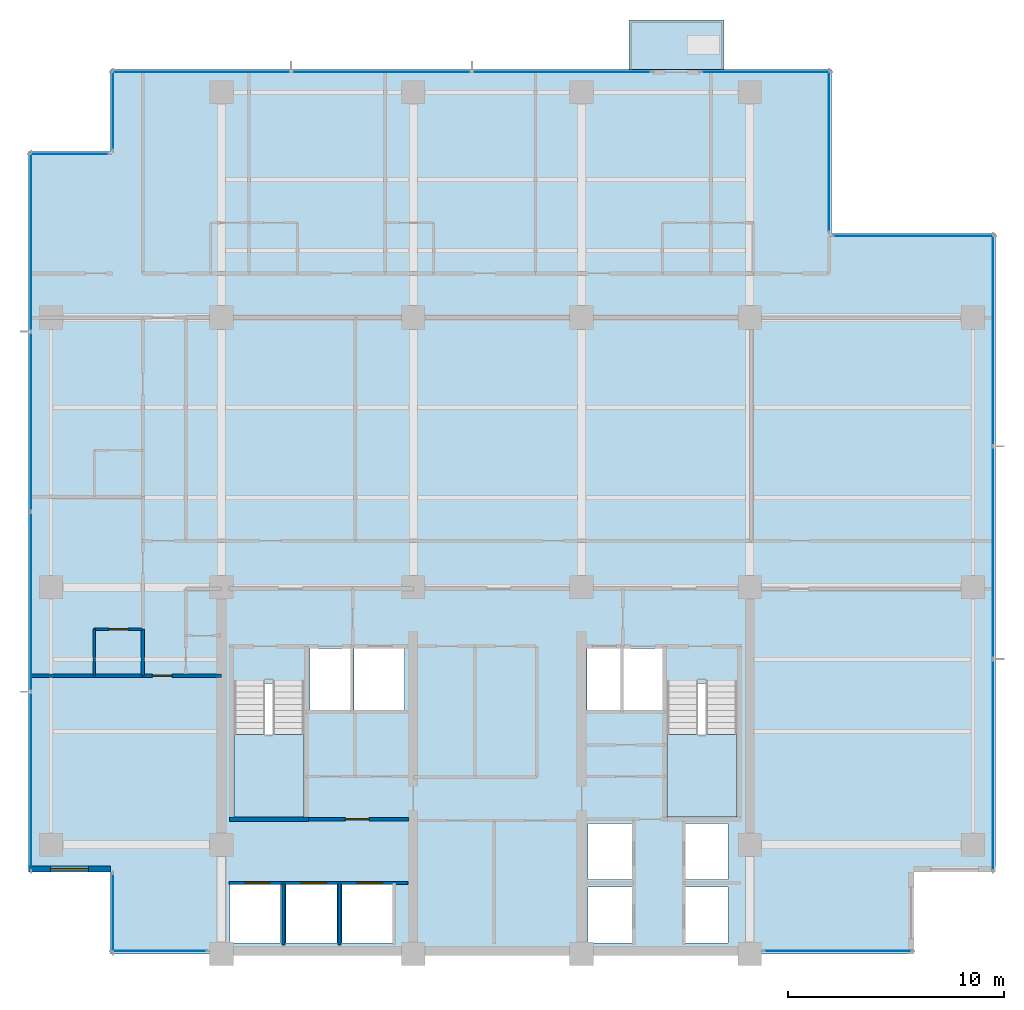
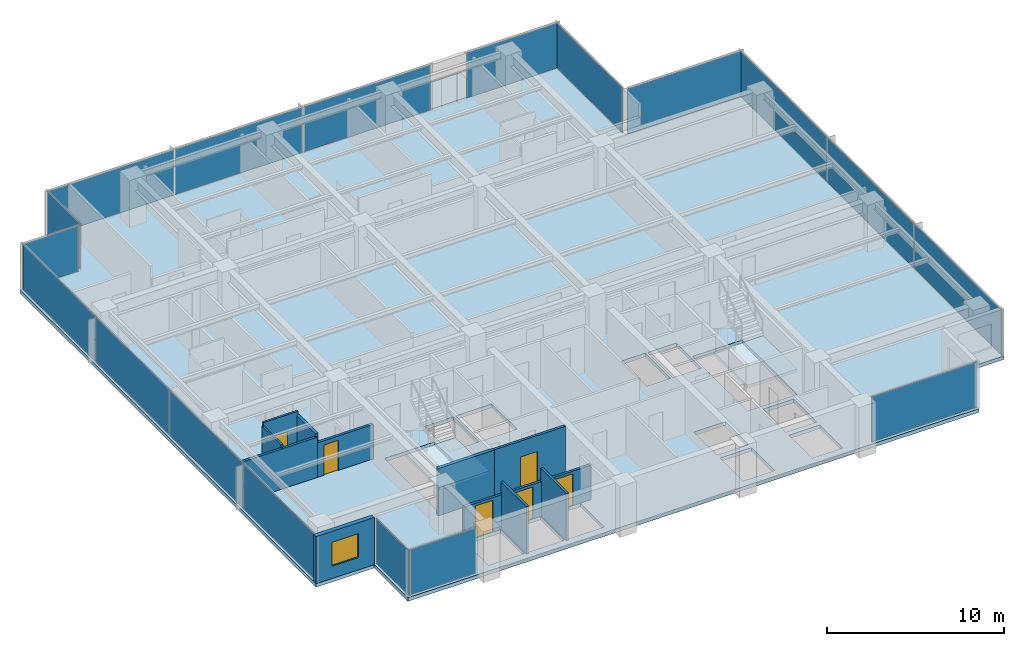
# One storey, part 6 of 15: 18 plates, 11 walls, 6 doors, 4 slabs, 1 window, 7 openings, 13 elements without a shape of their own.
"""IFC4 building model written with IfcOpenShell, lengths in metres."""

from ifc_helpers import new_model, si_unit, direction, frame, frame_2d, origin, origin_2d, place, context, subcontext, project, spatial, polyline, rectangle, outline, extrude, material, layer, layer_set, type_object, element, fill, aggregate, save


model = new_model("IFC4")

# Units and contexts
model_context = context("Model", 3, precision=1e-05, world=origin(), true_north=direction((0.0, 1.0)))
body_context = subcontext(model_context, "Body", "Model", "MODEL_VIEW")
ifc_project = project(units=[si_unit("LENGTHUNIT", "METRE"), si_unit("AREAUNIT", "SQUARE_METRE"), si_unit("VOLUMEUNIT", "CUBIC_METRE"), si_unit("PLANEANGLEUNIT", "RADIAN"), si_unit("MASSUNIT", "GRAM", prefix="KILO")], contexts=[model_context])

# Site, building, storey
site_placement = place(None, origin())
site = spatial("IfcSite", under=ifc_project, at=site_placement, CompositionType="ELEMENT")
building_placement = place(site_placement, origin())
building = spatial("IfcBuilding", under=site, at=building_placement, Name="Qalmaran Belvedere Hotel", CompositionType="ELEMENT")
storey_placement = place(building_placement, frame((0.0, 0.0, 173.60009765625)))
storey = spatial("IfcBuildingStorey", under=building, at=storey_placement, Name="L44", CompositionType="ELEMENT", Elevation=173.60009765625)

# Curtain wall, plate
ifc_material_1 = material(Name="Anodised Bronze Aluminium", Category="aluminium")
ifc_layer_1 = layer(ifc_material_1, 0.195068359375, Name="Anodised Bronze Aluminium")
ifc_layer_set_1 = layer_set([ifc_layer_1], Name="Anodised Bronze Aluminium")
curtain_wall_type = type_object("IfcCurtainWallType", Name="CW4-TOWER-HIGHMID", PredefinedType="NOTDEFINED", material=ifc_layer_set_1)
curtain_wall_1_placement = place(storey_placement, origin())
curtain_wall_1 = element("IfcCurtainWall", 1, at=curtain_wall_1_placement, inside=storey, type_object=curtain_wall_type, Name="L44 Curtain Wall CW4", PredefinedType="NOTDEFINED")
ifc_material_2 = material(Name="Solar-Control Double Glazing", Category="glass")
ifc_layer_2 = layer(ifc_material_2, 0.028076171875, Name="Solar-Control Double Glazing")
ifc_layer_set_2 = layer_set([ifc_layer_2], Name="Solar-Control Double Glazing")
plate_type = type_object("IfcPlateType", Name="CWP-VISION-28", PredefinedType="CURTAIN_PANEL", material=ifc_layer_set_2)
plate_1_placement = place(storey_placement, frame((17.429931640625, 3.6201171875, 0.06494140625), z_axis=(0.0, 0.0, 1.0), x_axis=(1.0, 0.0, 0.0)))
plate_1 = element("IfcPlate", 2, at=plate_1_placement, type_object=plate_type, Name="CW4 panel 1.1", PredefinedType="CURTAIN_PANEL", context=body_context, shape_type="SweptSolid", body=[
    extrude(rectangle(XDim=4.419921875, YDim=0.028076171875, at=origin_2d()), origin(), (0.0, 0.0, 1.0), 3.1201171875),
])
aggregate(curtain_wall_1, [plate_1])

curtain_wall_2_placement = place(storey_placement, origin())
curtain_wall_2 = element("IfcCurtainWall", 3, at=curtain_wall_2_placement, inside=storey, type_object=curtain_wall_type, Name="L44 Curtain Wall CW4", PredefinedType="NOTDEFINED")
plate_2_placement = place(storey_placement, frame((48.89501953125, 3.6201171875, 0.06494140625), z_axis=(0.0, 0.0, 1.0), x_axis=(1.0, 0.0, 0.0)))
plate_2 = element("IfcPlate", 4, at=plate_2_placement, type_object=plate_type, Name="CW4 panel 1.1", PredefinedType="CURTAIN_PANEL", context=body_context, shape_type="SweptSolid", body=[
    extrude(rectangle(XDim=6.8701171875, YDim=0.028076171875, at=origin_2d()), origin(), (0.0, 0.0, 1.0), 3.1201171875),
])
aggregate(curtain_wall_2, [plate_2])

# Curtain wall, plates
curtain_wall_3_placement = place(storey_placement, origin())
curtain_wall_3 = element("IfcCurtainWall", 5, at=curtain_wall_3_placement, inside=storey, type_object=curtain_wall_type, Name="L44 Curtain Wall CW4", PredefinedType="NOTDEFINED")
plate_3_placement = place(storey_placement, frame((56.080078125, 12.250732421875, 0.06494140625), z_axis=(0.0, 0.0, 1.0), x_axis=(0.0, 1.0, 0.0)))
plate_3 = element("IfcPlate", 6, at=plate_3_placement, type_object=plate_type, Name="CW4 panel 1.1", PredefinedType="CURTAIN_PANEL", context=body_context, shape_type="SweptSolid", body=[
    extrude(rectangle(XDim=9.76171875, YDim=0.028076171875, at=origin_2d()), origin(), (0.0, 0.0, 1.0), 3.1201171875),
])
plate_4_placement = place(storey_placement, frame((56.080078125, 22.10009765625, 0.06494140625), z_axis=(0.0, 0.0, 1.0), x_axis=(0.0, 1.0, 0.0)))
plate_4 = element("IfcPlate", 7, at=plate_4_placement, type_object=plate_type, Name="CW4 panel 2.1", PredefinedType="CURTAIN_PANEL", context=body_context, shape_type="SweptSolid", body=[
    extrude(rectangle(XDim=9.796630859375, YDim=0.028076171875, at=origin_2d()), origin(), (0.0, 0.0, 1.0), 3.1201171875),
])
plate_5_placement = place(storey_placement, frame((56.080078125, 31.94921875, 0.06494140625), z_axis=(0.0, 0.0, 1.0), x_axis=(0.0, 1.0, 0.0)))
plate_5 = element("IfcPlate", 8, at=plate_5_placement, type_object=plate_type, Name="CW4 panel 3.1", PredefinedType="CURTAIN_PANEL", context=body_context, shape_type="SweptSolid", body=[
    extrude(rectangle(XDim=9.76171875, YDim=0.028076171875, at=origin_2d()), origin(), (0.0, 0.0, 1.0), 3.1201171875),
])
aggregate(curtain_wall_3, [plate_3, plate_4, plate_5])

# Curtain wall, plate
curtain_wall_4_placement = place(storey_placement, origin())
curtain_wall_4 = element("IfcCurtainWall", 9, at=curtain_wall_4_placement, inside=storey, type_object=curtain_wall_type, Name="L44 Curtain Wall CW4", PredefinedType="NOTDEFINED")
plate_6_placement = place(storey_placement, frame((52.39990234375, 36.780029296875, 0.06494140625), z_axis=(0.0, 0.0, 1.0), x_axis=(-1.0, 0.0, 0.0)))
plate_6 = element("IfcPlate", 10, at=plate_6_placement, type_object=plate_type, Name="CW4 panel 1.1", PredefinedType="CURTAIN_PANEL", context=body_context, shape_type="SweptSolid", body=[
    extrude(rectangle(XDim=7.4599609375, YDim=0.028076171875, at=origin_2d()), origin(), (0.0, 0.0, 1.0), 3.1201171875),
])
aggregate(curtain_wall_4, [plate_6])

curtain_wall_5_placement = place(storey_placement, origin())
curtain_wall_5 = element("IfcCurtainWall", 11, at=curtain_wall_5_placement, inside=storey, type_object=curtain_wall_type, Name="L44 Curtain Wall CW4", PredefinedType="NOTDEFINED")
plate_7_placement = place(storey_placement, frame((48.47998046875, 40.699951171875, 0.06494140625), z_axis=(0.0, 0.0, 1.0), x_axis=(0.0, 1.0, 0.0)))
plate_7 = element("IfcPlate", 12, at=plate_7_placement, type_object=plate_type, Name="CW4 panel 1.1", PredefinedType="CURTAIN_PANEL", context=body_context, shape_type="SweptSolid", body=[
    extrude(rectangle(XDim=7.4599609375, YDim=0.028076171875, at=origin_2d()), origin(), (0.0, 0.0, 1.0), 3.1201171875),
])
aggregate(curtain_wall_5, [plate_7])

# Curtain wall, plates
curtain_wall_6_placement = place(storey_placement, origin())
curtain_wall_6 = element("IfcCurtainWall", 13, at=curtain_wall_6_placement, inside=storey, type_object=curtain_wall_type, Name="L44 Curtain Wall CW4", PredefinedType="NOTDEFINED")
plate_8_placement = place(storey_placement, frame((36.0908203125, 44.3798828125, 0.06494140625), z_axis=(0.0, 0.0, 1.0), x_axis=(-1.0, 0.0, 0.0)))
plate_8 = element("IfcPlate", 14, at=plate_8_placement, type_object=plate_type, Name="CW4 panel 1.1", PredefinedType="CURTAIN_PANEL", context=body_context, shape_type="SweptSolid", body=[
    extrude(rectangle(XDim=8.2783203125, YDim=0.028076171875, at=origin_2d()), origin(), (0.0, 0.0, 1.0), 3.1201171875),
])
plate_9_placement = place(storey_placement, frame((27.72509765625, 44.3798828125, 0.06494140625), z_axis=(0.0, 0.0, 1.0), x_axis=(-1.0, 0.0, 0.0)))
plate_9 = element("IfcPlate", 15, at=plate_9_placement, type_object=plate_type, Name="CW4 panel 2.1", PredefinedType="CURTAIN_PANEL", context=body_context, shape_type="SweptSolid", body=[
    extrude(rectangle(XDim=8.313232421875, YDim=0.028076171875, at=origin_2d()), origin(), (0.0, 0.0, 1.0), 3.1201171875),
])
plate_10_placement = place(storey_placement, frame((19.359130859375, 44.3798828125, 0.06494140625), z_axis=(0.0, 0.0, 1.0), x_axis=(-1.0, 0.0, 0.0)))
plate_10 = element("IfcPlate", 16, at=plate_10_placement, type_object=plate_type, Name="CW4 panel 3.1", PredefinedType="CURTAIN_PANEL", context=body_context, shape_type="SweptSolid", body=[
    extrude(rectangle(XDim=8.2783203125, YDim=0.028076171875, at=origin_2d()), origin(), (0.0, 0.0, 1.0), 3.1201171875),
])
aggregate(curtain_wall_6, [plate_8, plate_9, plate_10])

# Curtain wall, plate
curtain_wall_7_placement = place(storey_placement, origin())
curtain_wall_7 = element("IfcCurtainWall", 17, at=curtain_wall_7_placement, inside=storey, type_object=curtain_wall_type, Name="L44 Curtain Wall CW4", PredefinedType="NOTDEFINED")
plate_11_placement = place(storey_placement, frame((45.550048828125, 44.3798828125, 0.06494140625), z_axis=(0.0, 0.0, 1.0), x_axis=(-1.0, 0.0, 0.0)))
plate_11 = element("IfcPlate", 18, at=plate_11_placement, type_object=plate_type, Name="CW4 panel 1.1", PredefinedType="CURTAIN_PANEL", context=body_context, shape_type="SweptSolid", body=[
    extrude(rectangle(XDim=5.9599609375, YDim=0.028076171875, at=origin_2d()), origin(), (0.0, 0.0, 1.0), 3.1201171875),
])
aggregate(curtain_wall_7, [plate_11])

curtain_wall_8_placement = place(storey_placement, origin())
curtain_wall_8 = element("IfcCurtainWall", 19, at=curtain_wall_8_placement, inside=storey, type_object=curtain_wall_type, Name="L44 Curtain Wall CW4", PredefinedType="NOTDEFINED")
plate_12_placement = place(storey_placement, frame((15.27001953125, 42.60009765625, 0.06494140625), z_axis=(0.0, 0.0, 1.0), x_axis=(0.0, -1.0, 0.0)))
plate_12 = element("IfcPlate", 20, at=plate_12_placement, type_object=plate_type, Name="CW4 panel 1.1", PredefinedType="CURTAIN_PANEL", context=body_context, shape_type="SweptSolid", body=[
    extrude(rectangle(XDim=3.659912109375, YDim=0.028076171875, at=origin_2d()), origin(), (0.0, 0.0, 1.0), 3.1201171875),
])
aggregate(curtain_wall_8, [plate_12])

curtain_wall_9_placement = place(storey_placement, origin())
curtain_wall_9 = element("IfcCurtainWall", 21, at=curtain_wall_9_placement, inside=storey, type_object=curtain_wall_type, Name="L44 Curtain Wall CW4", PredefinedType="NOTDEFINED")
plate_13_placement = place(storey_placement, frame((13.25, 40.580078125, 0.06494140625), z_axis=(0.0, 0.0, 1.0), x_axis=(-1.0, 0.0, 0.0)))
plate_13 = element("IfcPlate", 22, at=plate_13_placement, type_object=plate_type, Name="CW4 panel 1.1", PredefinedType="CURTAIN_PANEL", context=body_context, shape_type="SweptSolid", body=[
    extrude(rectangle(XDim=3.659912109375, YDim=0.028076171875, at=origin_2d()), origin(), (0.0, 0.0, 1.0), 3.1201171875),
])
aggregate(curtain_wall_9, [plate_13])

# Curtain wall, plates
curtain_wall_10_placement = place(storey_placement, origin())
curtain_wall_10 = element("IfcCurtainWall", 23, at=curtain_wall_10_placement, inside=storey, type_object=curtain_wall_type, Name="L44 Curtain Wall CW4", PredefinedType="NOTDEFINED")
plate_14_placement = place(storey_placement, frame((11.469970703125, 36.507568359375, 0.06494140625), z_axis=(0.0, 0.0, 1.0), x_axis=(0.0, -1.0, 0.0)))
plate_14 = element("IfcPlate", 24, at=plate_14_placement, type_object=plate_type, Name="CW4 panel 1.1", PredefinedType="CURTAIN_PANEL", context=body_context, shape_type="SweptSolid", body=[
    extrude(rectangle(XDim=8.2451171875, YDim=0.028076171875, at=origin_2d()), origin(), (0.0, 0.0, 1.0), 3.1201171875),
])
plate_15_placement = place(storey_placement, frame((11.469970703125, 28.175048828125, 0.06494140625), z_axis=(0.0, 0.0, 1.0), x_axis=(0.0, -1.0, 0.0)))
plate_15 = element("IfcPlate", 25, at=plate_15_placement, type_object=plate_type, Name="CW4 panel 2.1", PredefinedType="CURTAIN_PANEL", context=body_context, shape_type="SweptSolid", body=[
    extrude(rectangle(XDim=8.280029296875, YDim=0.028076171875, at=origin_2d()), origin(), (0.0, 0.0, 1.0), 3.1201171875),
])
plate_16_placement = place(storey_placement, frame((11.469970703125, 19.824951171875, 0.06494140625), z_axis=(0.0, 0.0, 1.0), x_axis=(0.0, -1.0, 0.0)))
plate_16 = element("IfcPlate", 26, at=plate_16_placement, type_object=plate_type, Name="CW4 panel 3.1", PredefinedType="CURTAIN_PANEL", context=body_context, shape_type="SweptSolid", body=[
    extrude(rectangle(XDim=8.280029296875, YDim=0.028076171875, at=origin_2d()), origin(), (0.0, 0.0, 1.0), 3.1201171875),
])
plate_17_placement = place(storey_placement, frame((11.469970703125, 11.492431640625, 0.06494140625), z_axis=(0.0, 0.0, 1.0), x_axis=(0.0, -1.0, 0.0)))
plate_17 = element("IfcPlate", 27, at=plate_17_placement, type_object=plate_type, Name="CW4 panel 4.1", PredefinedType="CURTAIN_PANEL", context=body_context, shape_type="SweptSolid", body=[
    extrude(rectangle(XDim=8.2451171875, YDim=0.028076171875, at=origin_2d()), origin(), (0.0, 0.0, 1.0), 3.1201171875),
])
aggregate(curtain_wall_10, [plate_14, plate_15, plate_16, plate_17])

# Curtain wall, plate
curtain_wall_11_placement = place(storey_placement, origin())
curtain_wall_11 = element("IfcCurtainWall", 28, at=curtain_wall_11_placement, inside=storey, type_object=curtain_wall_type, Name="L44 Curtain Wall CW4", PredefinedType="NOTDEFINED")
plate_18_placement = place(storey_placement, frame((15.27001953125, 5.39990234375, 0.06494140625), z_axis=(0.0, 0.0, 1.0), x_axis=(0.0, -1.0, 0.0)))
plate_18 = element("IfcPlate", 29, at=plate_18_placement, type_object=plate_type, Name="CW4 panel 1.1", PredefinedType="CURTAIN_PANEL", context=body_context, shape_type="SweptSolid", body=[
    extrude(rectangle(XDim=3.659912109375, YDim=0.028076171875, at=origin_2d()), origin(), (0.0, 0.0, 1.0), 3.1201171875),
])
aggregate(curtain_wall_11, [plate_18])

# Slab
ifc_material_3 = material(Name="Concrete C40/50", Category="concrete")
ifc_layer_3 = layer(ifc_material_3, 0.219970703125, Name="Concrete C40/50")
ifc_layer_set_3 = layer_set([ifc_layer_3], Name="Concrete C40/50")
slab_type_1 = type_object("IfcSlabType", Name="SLB-BAL-220", PredefinedType="USERDEFINED", material=ifc_layer_set_3)
slab_1_placement = place(storey_placement, frame((0.0, 0.0, -0.22021484375)))
element("IfcSlab", 30, at=slab_1_placement, inside=storey, type_object=slab_type_1, Name="L44 Planted Tree Balcony Slab 1", ObjectType="BALCONY", PredefinedType="USERDEFINED", context=body_context, shape_type="SweptSolid", body=[
    extrude(outline(polyline([(39.199951171875, 44.5), (43.60009765625, 44.5), (43.60009765625, 46.800048828125), (39.199951171875, 46.800048828125), (39.199951171875, 44.5)])), origin(), (0.0, 0.0, 1.0), 0.22021484375),
])

# Stair, slab
stair_type_1 = type_object("IfcStairType", Name="STR-ST-1-1450-R1750", PredefinedType="HALF_TURN_STAIR", material=ifc_material_3)
stair_1_placement = place(storey_placement, origin())
stair_1 = element("IfcStair", 31, at=stair_1_placement, inside=storey, type_object=stair_type_1, Name="L44 West Core Exit Stair ST-1", PredefinedType="HALF_TURN_STAIR")
ifc_layer_4 = layer(ifc_material_3, 0.199951171875, Name="Concrete C40/50")
ifc_layer_set_4 = layer_set([ifc_layer_4], Name="Concrete C40/50")
slab_type_2 = type_object("IfcSlabType", Name="SLB-STAIR-LANDING-200", PredefinedType="LANDING", material=ifc_layer_set_4)
slab_2_placement = place(storey_placement, frame((0.0, 0.0, 1.5498046875)))
slab_2 = element("IfcSlab", 32, at=slab_2_placement, type_object=slab_type_2, Name="ST-1 landing 1", PredefinedType="LANDING", context=body_context, shape_type="SweptSolid", body=[
    extrude(outline(polyline([(20.8798828125, 13.669921875), (20.8798828125, 9.85009765625), (24.1201171875, 9.85009765625), (24.1201171875, 13.669921875), (20.8798828125, 13.669921875)])), origin(), (0.0, 0.0, 1.0), 0.2001953125),
])
aggregate(stair_1, [slab_2])

stair_type_2 = type_object("IfcStairType", Name="STR-ST-2-1450-R1750", PredefinedType="HALF_TURN_STAIR", material=ifc_material_3)
stair_2_placement = place(storey_placement, origin())
stair_2 = element("IfcStair", 33, at=stair_2_placement, inside=storey, type_object=stair_type_2, Name="L44 East Core Exit Stair ST-2", PredefinedType="HALF_TURN_STAIR")
slab_3_placement = place(storey_placement, frame((0.0, 0.0, 1.5498046875)))
slab_3 = element("IfcSlab", 34, at=slab_3_placement, type_object=slab_type_2, Name="ST-2 landing 1", PredefinedType="LANDING", context=body_context, shape_type="SweptSolid", body=[
    extrude(outline(polyline([(40.9599609375, 13.669921875), (40.9599609375, 9.85009765625), (44.199951171875, 9.85009765625), (44.199951171875, 13.669921875), (40.9599609375, 13.669921875)])), origin(), (0.0, 0.0, 1.0), 0.2001953125),
])
aggregate(stair_2, [slab_3])

# Slab
ifc_layer_5 = layer(ifc_material_3, 0.25, Name="Concrete C40/50")
ifc_layer_set_5 = layer_set([ifc_layer_5], Name="Concrete C40/50")
slab_type_3 = type_object("IfcSlabType", Name="SLB-Z3-250", PredefinedType="FLOOR", material=ifc_layer_set_5)
slab_4_placement = place(storey_placement, frame((0.0, 0.0, -0.25)))
element("IfcSlab", 35, at=slab_4_placement, inside=storey, type_object=slab_type_3, Name="L44 Structural Floor Slab", PredefinedType="FLOOR", context=body_context, shape_type="SweptSolid", body=[
    extrude(outline(polyline([(15.14990234375, 3.5), (52.39990234375, 3.5), (52.39990234375, 7.300048828125), (56.199951171875, 7.300048828125), (56.199951171875, 36.89990234375), (48.60009765625, 36.89990234375), (48.60009765625, 44.5), (15.14990234375, 44.5), (15.14990234375, 40.699951171875), (11.35009765625, 40.699951171875), (11.35009765625, 7.300048828125), (15.14990234375, 7.300048828125), (15.14990234375, 3.5)]), holes=[polyline([(20.8798828125, 9.85009765625), (24.1201171875, 9.85009765625), (24.1201171875, 16.0400390625), (20.8798828125, 16.0400390625), (20.8798828125, 9.85009765625)]), polyline([(40.9599609375, 9.85009765625), (44.199951171875, 9.85009765625), (44.199951171875, 16.0400390625), (40.9599609375, 16.0400390625), (40.9599609375, 9.85009765625)]), polyline([(37.300048828125, 4.0), (39.35009765625, 4.0), (39.35009765625, 6.60009765625), (37.300048828125, 6.60009765625), (37.300048828125, 4.0)]), polyline([(37.300048828125, 6.949951171875), (39.35009765625, 6.949951171875), (39.35009765625, 9.550048828125), (37.300048828125, 9.550048828125), (37.300048828125, 6.949951171875)]), polyline([(41.800048828125, 4.0), (43.800048828125, 4.0), (43.800048828125, 6.60009765625), (41.800048828125, 6.60009765625), (41.800048828125, 4.0)]), polyline([(41.800048828125, 6.949951171875), (43.800048828125, 6.949951171875), (43.800048828125, 9.550048828125), (41.800048828125, 9.550048828125), (41.800048828125, 6.949951171875)]), polyline([(20.699951171875, 4.0), (23.050048828125, 4.0), (23.050048828125, 6.699951171875), (20.699951171875, 6.699951171875), (20.699951171875, 4.0)]), polyline([(23.300048828125, 4.0), (25.64990234375, 4.0), (25.64990234375, 6.699951171875), (23.300048828125, 6.699951171875), (23.300048828125, 4.0)]), polyline([(25.89990234375, 4.0), (28.25, 4.0), (28.25, 6.699951171875), (25.89990234375, 6.699951171875), (25.89990234375, 4.0)]), polyline([(24.39990234375, 14.800048828125), (26.300048828125, 14.800048828125), (26.300048828125, 17.64990234375), (24.39990234375, 17.64990234375), (24.39990234375, 14.800048828125)]), polyline([(38.949951171875, 14.800048828125), (40.820068359375, 14.800048828125), (40.820068359375, 17.64990234375), (38.949951171875, 17.64990234375), (38.949951171875, 14.800048828125)]), polyline([(26.449951171875, 14.800048828125), (28.800048828125, 14.800048828125), (28.800048828125, 17.64990234375), (26.449951171875, 17.64990234375), (26.449951171875, 14.800048828125)]), polyline([(37.25, 14.800048828125), (38.800048828125, 14.800048828125), (38.800048828125, 17.64990234375), (37.25, 17.64990234375), (37.25, 14.800048828125)])]), origin(), (0.0, 0.0, 1.0), 0.25),
])

# Wall, opening, window
ifc_material_4 = material(Name="Anodised Bronze Cladding")
ifc_layer_6 = layer(ifc_material_4, 0.280029296875, Name="Anodised Bronze Cladding")
ifc_layer_set_6 = layer_set([ifc_layer_6], Name="Anodised Bronze Cladding")
wall_type_1 = type_object("IfcWallType", Name="WL-EXT-BRNZ-280", PredefinedType="SOLIDWALL", material=ifc_layer_set_6)
wall_1_placement = place(storey_placement, frame((11.35009765625, 7.419921875, 0.0), z_axis=(0.0, 0.0, 1.0), x_axis=(1.0, 0.0, 0.0)))
wall_1 = element("IfcWall", 36, at=wall_1_placement, inside=storey, type_object=wall_type_1, Name="L44 Corner Notch Wall 10", PredefinedType="SOLIDWALL", context=body_context, shape_type="SweptSolid", body=[
    extrude(rectangle(XDim=3.7998046875, YDim=0.280029296875, at=frame_2d((1.89990234375, 0.0))), origin(), (0.0, 0.0, 1.0), 3.25),
])
opening_1_placement = place(wall_1_placement, frame((1.02490234375, 0.0, 0.85009765625)))
opening_1 = element("IfcOpeningElement", 37, at=opening_1_placement, cuts=wall_1, Name="Opening W-N17", PredefinedType="OPENING", context=body_context, shape_type="SweptSolid", body=[
    extrude(rectangle(XDim=1.75, YDim=1.64990234375, at=frame_2d((0.875, 0.824951171875))), frame((0.0, 0.14990234375, 0.0), z_axis=(0.0, -1.0, 0.0), x_axis=(1.0, 0.0, 0.0)), (0.0, 0.0, 1.0), 0.300048828125),
])
window_type = type_object("IfcWindowType", Name="WN-NTC-1750X1650", PartitioningType="SINGLE_PANEL", PredefinedType="WINDOW", material=ifc_material_2)
window_placement = place(opening_1_placement, origin())
window = element("IfcWindow", 38, at=window_placement, inside=storey, type_object=window_type, Name="L44 Corner Notch Window 10", OverallHeight=1.64990234375, OverallWidth=1.75, PartitioningType="SINGLE_PANEL", PredefinedType="WINDOW", context=body_context, shape_type="SweptSolid", body=[
    extrude(rectangle(XDim=1.75, YDim=1.64990234375, at=frame_2d((0.875, 0.824951171875))), frame((0.0, 0.030029296875, 0.0), z_axis=(0.0, -1.0, 0.0), x_axis=(1.0, 0.0, 0.0)), (0.0, 0.0, 1.0), 0.06005859375),
])
fill(opening_1, window)

# Wall, opening, door
ifc_material_5 = material(Name="Moisture-Resistant Gypsum")
ifc_layer_7 = layer(ifc_material_5, 0.1201171875, Name="Moisture-Resistant Gypsum")
ifc_layer_set_7 = layer_set([ifc_layer_7], Name="Moisture-Resistant Gypsum")
wall_type_2 = type_object("IfcWallType", Name="WL-INT-120-BATH", PredefinedType="PARTITIONING", material=ifc_layer_set_7)
wall_2_placement = place(storey_placement, frame((14.39990234375, 18.550048828125, 0.0), z_axis=(0.0, 0.0, 1.0), x_axis=(1.0, 0.0, 0.0)))
wall_2 = element("IfcWall", 39, at=wall_2_placement, inside=storey, type_object=wall_type_2, Name="L44 Partition WL-L44-WBN00", PredefinedType="PARTITIONING", context=body_context, shape_type="SweptSolid", body=[
    extrude(rectangle(XDim=2.25, YDim=0.1201171875, at=frame_2d((1.125, 0.0))), origin(), (0.0, 0.0, 1.0), 3.25),
])
opening_2_placement = place(wall_2_placement, frame((1.56494140625, 0.0, 0.0), z_axis=(0.0, 0.0, 1.0), x_axis=(-1.0, 0.0, 0.0)))
opening_2 = element("IfcOpeningElement", 40, at=opening_2_placement, cuts=wall_2, Name="Opening D-BATH", PredefinedType="OPENING", context=body_context, shape_type="SweptSolid", body=[
    extrude(rectangle(XDim=0.8798828125, YDim=2.080078125, at=frame_2d((0.43994140625, 1.0400390625))), frame((0.0, 0.070068359375, 0.0), z_axis=(0.0, -1.0, 0.0), x_axis=(1.0, 0.0, 0.0)), (0.0, 0.0, 1.0), 0.14013671875),
])
ifc_material_6 = material(Name="Engineered Oak Veneer")
door_type_1 = type_object("IfcDoorType", Name="DR-INT-BATH-880X2080", OperationType="NOTDEFINED", PredefinedType="DOOR", material=ifc_material_6)
door_1_placement = place(opening_2_placement, origin())
door_1 = element("IfcDoor", 41, at=door_1_placement, inside=storey, type_object=door_type_1, Name="L44 W Ensuite Door 01", OperationType="SINGLE_SWING_RIGHT", OverallHeight=2.080078125, OverallWidth=0.8798828125, PredefinedType="DOOR", context=body_context, shape_type="SweptSolid", body=[
    extrude(rectangle(XDim=0.8798828125, YDim=2.080078125, at=frame_2d((0.43994140625, 1.0400390625))), frame((0.0, 0.02490234375, 0.0), z_axis=(0.0, -1.0, 0.0), x_axis=(1.0, 0.0, 0.0)), (0.0, 0.0, 1.0), 0.050048828125),
])
fill(opening_2, door_1)

# Walls
wall_3_placement = place(storey_placement, frame((14.39990234375, 16.39990234375, 0.0), z_axis=(0.0, 0.0, 1.0), x_axis=(0.0, 1.0, 0.0)))
element("IfcWall", 42, at=wall_3_placement, inside=storey, type_object=wall_type_2, Name="L44 Partition WL-L44-WBS00", PredefinedType="PARTITIONING", context=body_context, shape_type="SweptSolid", body=[
    extrude(rectangle(XDim=2.150146484375, YDim=0.1201171875, at=frame_2d((1.0751953125, 0.0))), origin(), (0.0, 0.0, 1.0), 2.98779296875),
])
ifc_material_7 = material(Name="Gypsum Stud Partition")
ifc_layer_8 = layer(ifc_material_7, 0.14990234375, Name="Gypsum Stud Partition")
ifc_layer_set_8 = layer_set([ifc_layer_8], Name="Gypsum Stud Partition")
wall_type_3 = type_object("IfcWallType", Name="WL-INT-150-EI120", PredefinedType="PARTITIONING", material=ifc_layer_set_8)
for number, where, z_axis, x_axis, name in (
    (43, (23.179931640625, 3.89990234375, 0.0), (0.0, 0.0, 1.0), (0.0, 1.0, 0.0), "L44 Partition WL-POM1-L44"),
    (44, (25.780029296875, 3.89990234375, 0.0), (0.0, 0.0, 1.0), (0.0, 1.0, 0.0), "L44 Partition WL-POM2-L44"),
):
    element("IfcWall", number, at=place(storey_placement, frame(where, z_axis=z_axis, x_axis=x_axis)), inside=storey, type_object=wall_type_3, Name=name, PredefinedType="PARTITIONING", context=body_context, shape_type="SweptSolid", body=[
        extrude(rectangle(XDim=2.880126953125, YDim=0.14990234375, at=frame_2d((1.43994140625, 0.0))), origin(), (0.0, 0.0, 1.0), 3.25),
    ])

# Wall, openings, doors
ifc_layer_9 = layer(ifc_material_7, 0.159912109375, Name="Gypsum Stud Partition")
ifc_layer_set_9 = layer_set([ifc_layer_9], Name="Gypsum Stud Partition")
wall_type_4 = type_object("IfcWallType", Name="WL-INT-160-EI120", PredefinedType="PARTITIONING", material=ifc_layer_set_9)
wall_4_placement = place(storey_placement, frame((20.64990234375, 6.780029296875, 0.0), z_axis=(0.0, 0.0, 1.0), x_axis=(1.0, 0.0, 0.0)))
wall_4 = element("IfcWall", 45, at=wall_4_placement, inside=storey, type_object=wall_type_4, Name="L44 Partition WL-POS-L44", PredefinedType="PARTITIONING", context=body_context, shape_type="SweptSolid", body=[
    extrude(rectangle(XDim=8.300048828125, YDim=0.159912109375, at=frame_2d((4.14990234375, 0.0))), origin(), (0.0, 0.0, 1.0), 2.3798828125),
])
opening_3_placement = place(wall_4_placement, frame((0.75, 0.0, 0.0)))
opening_3 = element("IfcOpeningElement", 46, at=opening_3_placement, cuts=wall_4, Name="Opening LD-PO", PredefinedType="OPENING", context=body_context, shape_type="SweptSolid", body=[
    extrude(rectangle(XDim=1.14990234375, YDim=2.199951171875, at=frame_2d((0.574951171875, 1.10009765625))), frame((0.0, 0.08984375, 0.0), z_axis=(0.0, -1.0, 0.0), x_axis=(1.0, 0.0, 0.0)), (0.0, 0.0, 1.0), 0.179931640625),
])
opening_4_placement = place(wall_4_placement, frame((3.35009765625, 0.0, 0.0)))
opening_4 = element("IfcOpeningElement", 47, at=opening_4_placement, cuts=wall_4, Name="Opening LD-PO", PredefinedType="OPENING", context=body_context, shape_type="SweptSolid", body=[
    extrude(rectangle(XDim=1.14990234375, YDim=2.199951171875, at=frame_2d((0.574951171875, 1.10009765625))), frame((0.0, 0.08984375, 0.0), z_axis=(0.0, -1.0, 0.0), x_axis=(1.0, 0.0, 0.0)), (0.0, 0.0, 1.0), 0.179931640625),
])
opening_5_placement = place(wall_4_placement, frame((5.949951171875, 0.0, 0.0)))
opening_5 = element("IfcOpeningElement", 48, at=opening_5_placement, cuts=wall_4, Name="Opening LD-PO", PredefinedType="OPENING", context=body_context, shape_type="SweptSolid", body=[
    extrude(rectangle(XDim=1.14990234375, YDim=2.199951171875, at=frame_2d((0.574951171875, 1.10009765625))), frame((0.0, 0.08984375, 0.0), z_axis=(0.0, -1.0, 0.0), x_axis=(1.0, 0.0, 0.0)), (0.0, 0.0, 1.0), 0.179931640625),
])
door_type_2 = type_object("IfcDoorType", Name="DR-LIFT-PO-1150X2200", OperationType="DOUBLE_DOOR_SLIDING", PredefinedType="DOOR", material=ifc_material_1)
door_2_placement = place(opening_3_placement, origin())
door_2 = element("IfcDoor", 49, at=door_2_placement, inside=storey, type_object=door_type_2, Name="L44 PO1 Shuttle Landing Door", OperationType="DOUBLE_DOOR_SLIDING", OverallHeight=2.199951171875, OverallWidth=1.14990234375, PredefinedType="DOOR", context=body_context, shape_type="SweptSolid", body=[
    extrude(rectangle(XDim=1.14990234375, YDim=2.199951171875, at=frame_2d((0.574951171875, 1.10009765625))), frame((0.0, 0.02490234375, 0.0), z_axis=(0.0, -1.0, 0.0), x_axis=(1.0, 0.0, 0.0)), (0.0, 0.0, 1.0), 0.050048828125),
])
fill(opening_3, door_2)
door_3_placement = place(opening_4_placement, origin())
door_3 = element("IfcDoor", 50, at=door_3_placement, inside=storey, type_object=door_type_2, Name="L44 PO2 Shuttle Landing Door", OperationType="DOUBLE_DOOR_SLIDING", OverallHeight=2.199951171875, OverallWidth=1.14990234375, PredefinedType="DOOR", context=body_context, shape_type="SweptSolid", body=[
    extrude(rectangle(XDim=1.14990234375, YDim=2.199951171875, at=frame_2d((0.574951171875, 1.10009765625))), frame((0.0, 0.02490234375, 0.0), z_axis=(0.0, -1.0, 0.0), x_axis=(1.0, 0.0, 0.0)), (0.0, 0.0, 1.0), 0.050048828125),
])
fill(opening_4, door_3)
door_4_placement = place(opening_5_placement, origin())
door_4 = element("IfcDoor", 51, at=door_4_placement, inside=storey, type_object=door_type_2, Name="L44 PO3 Shuttle Landing Door", OperationType="DOUBLE_DOOR_SLIDING", OverallHeight=2.199951171875, OverallWidth=1.14990234375, PredefinedType="DOOR", context=body_context, shape_type="SweptSolid", body=[
    extrude(rectangle(XDim=1.14990234375, YDim=2.199951171875, at=frame_2d((0.574951171875, 1.10009765625))), frame((0.0, 0.02490234375, 0.0), z_axis=(0.0, -1.0, 0.0), x_axis=(1.0, 0.0, 0.0)), (0.0, 0.0, 1.0), 0.050048828125),
])
fill(opening_5, door_4)

# Wall, opening, door
wall_5_placement = place(storey_placement, frame((24.199951171875, 9.739990234375, 0.0), z_axis=(0.0, 0.0, 1.0), x_axis=(1.0, 0.0, 0.0)))
wall_5 = element("IfcWall", 52, at=wall_5_placement, inside=storey, type_object=wall_type_4, Name="L44 Partition WL-PON-L44", PredefinedType="PARTITIONING", context=body_context, shape_type="SweptSolid", body=[
    extrude(rectangle(XDim=4.800048828125, YDim=0.159912109375, at=frame_2d((2.39990234375, 0.0))), origin(), (0.0, 0.0, 1.0), 3.25),
])
opening_6_placement = place(wall_5_placement, frame((1.85009765625, 0.0, 0.0)))
opening_6 = element("IfcOpeningElement", 53, at=opening_6_placement, cuts=wall_5, Name="Opening FD90", PredefinedType="OPENING", context=body_context, shape_type="SweptSolid", body=[
    extrude(rectangle(XDim=1.10009765625, YDim=2.14990234375, at=frame_2d((0.550048828125, 1.074951171875))), frame((0.0, 0.08984375, 0.0), z_axis=(0.0, -1.0, 0.0), x_axis=(1.0, 0.0, 0.0)), (0.0, 0.0, 1.0), 0.179931640625),
])
ifc_material_8 = material(Name="Steel S355JR", Category="steel")
door_type_3 = type_object("IfcDoorType", Name="DR-FD90-1100X2150", OperationType="NOTDEFINED", PredefinedType="DOOR", material=ifc_material_8)
door_5_placement = place(opening_6_placement, origin())
door_5 = element("IfcDoor", 54, at=door_5_placement, inside=storey, type_object=door_type_3, Name="L44 Shuttle Lobby Passage Door", OperationType="SINGLE_SWING_RIGHT", OverallHeight=2.14990234375, OverallWidth=1.10009765625, PredefinedType="DOOR", context=body_context, shape_type="SweptSolid", body=[
    extrude(rectangle(XDim=1.10009765625, YDim=2.14990234375, at=frame_2d((0.550048828125, 1.074951171875))), frame((0.0, 0.02490234375, 0.0), z_axis=(0.0, -1.0, 0.0), x_axis=(1.0, 0.0, 0.0)), (0.0, 0.0, 1.0), 0.050048828125),
])
fill(opening_6, door_5)

ifc_layer_10 = layer(ifc_material_7, 0.159912109375, Name="Gypsum Stud Partition")
ifc_layer_set_10 = layer_set([ifc_layer_10], Name="Gypsum Stud Partition")
wall_type_5 = type_object("IfcWallType", Name="WL-INT-160-EI60", PredefinedType="PARTITIONING", material=ifc_layer_set_10)
wall_6_placement = place(storey_placement, frame((16.64990234375, 16.39990234375, 0.0), z_axis=(0.0, 0.0, 1.0), x_axis=(1.0, 0.0, 0.0)))
wall_6 = element("IfcWall", 55, at=wall_6_placement, inside=storey, type_object=wall_type_5, Name="L44 Partition WL-L44-SWRL", PredefinedType="PARTITIONING", context=body_context, shape_type="SweptSolid", body=[
    extrude(rectangle(XDim=3.650146484375, YDim=0.159912109375, at=frame_2d((1.8251953125, 0.0))), origin(), (0.0, 0.0, 1.0), 2.3798828125),
])
opening_7_placement = place(wall_6_placement, frame((1.369873046875, 0.0, 0.0), z_axis=(0.0, 0.0, 1.0), x_axis=(-1.0, 0.0, 0.0)))
opening_7 = element("IfcOpeningElement", 56, at=opening_7_placement, cuts=wall_6, Name="Opening FD60S1", PredefinedType="OPENING", context=body_context, shape_type="SweptSolid", body=[
    extrude(rectangle(XDim=0.919921875, YDim=2.080078125, at=frame_2d((0.4599609375, 1.0400390625))), frame((0.0, 0.08984375, 0.0), z_axis=(0.0, -1.0, 0.0), x_axis=(1.0, 0.0, 0.0)), (0.0, 0.0, 1.0), 0.179931640625),
])
door_type_4 = type_object("IfcDoorType", Name="DR-FD60S-920X2080", OperationType="NOTDEFINED", PredefinedType="DOOR", material=ifc_material_6)
door_6_placement = place(opening_7_placement, origin())
door_6 = element("IfcDoor", 57, at=door_6_placement, inside=storey, type_object=door_type_4, Name="L44 SW Study Door", OperationType="SINGLE_SWING_RIGHT", OverallHeight=2.080078125, OverallWidth=0.919921875, PredefinedType="DOOR", context=body_context, shape_type="SweptSolid", body=[
    extrude(rectangle(XDim=0.919921875, YDim=2.080078125, at=frame_2d((0.4599609375, 1.0400390625))), frame((0.0, 0.02490234375, 0.0), z_axis=(0.0, -1.0, 0.0), x_axis=(1.0, 0.0, 0.0)), (0.0, 0.0, 1.0), 0.050048828125),
])
fill(opening_7, door_6)

# Walls
wall_7_placement = place(storey_placement, frame((11.469970703125, 16.39990234375, 0.0), z_axis=(0.0, 0.0, 1.0), x_axis=(1.0, 0.0, 0.0)))
element("IfcWall", 58, at=wall_7_placement, inside=storey, type_object=wall_type_5, Name="L44 Partition WL-L44-WBOT", PredefinedType="PARTITIONING", context=body_context, shape_type="SweptSolid", body=[
    extrude(rectangle(XDim=5.179931640625, YDim=0.159912109375, at=frame_2d((2.58984375, 0.0))), origin(), (0.0, 0.0, 1.0), 2.77197265625),
])
ifc_layer_11 = layer(ifc_material_7, 0.179931640625, Name="Gypsum Stud Partition")
ifc_layer_set_11 = layer_set([ifc_layer_11], Name="Gypsum Stud Partition")
wall_type_6 = type_object("IfcWallType", Name="WL-INT-180-EI60", PredefinedType="PARTITIONING", material=ifc_layer_set_11)
wall_8_placement = place(storey_placement, frame((16.64990234375, 16.39990234375, 0.0), z_axis=(0.0, 0.0, 1.0), x_axis=(0.0, 1.0, 0.0)))
element("IfcWall", 59, at=wall_8_placement, inside=storey, type_object=wall_type_6, Name="L44 Partition WL-L44-WBC00", PredefinedType="PARTITIONING", context=body_context, shape_type="SweptSolid", body=[
    extrude(rectangle(XDim=2.150146484375, YDim=0.179931640625, at=frame_2d((1.0751953125, 0.0))), origin(), (0.0, 0.0, 1.0), 2.98779296875),
])
ifc_material_9 = material(Name="Concrete C50/60", Category="concrete")
ifc_layer_12 = layer(ifc_material_9, 0.2099609375, Name="Concrete C50/60")
ifc_layer_set_12 = layer_set([ifc_layer_12], Name="Concrete C50/60")
wall_type_7 = type_object("IfcWallType", Name="WL-STAIR-210-C50", PredefinedType="SHEAR", material=ifc_layer_set_12)
wall_9_placement = place(storey_placement, frame((20.669921875, 9.7451171875, 0.0), z_axis=(0.0, 0.0, 1.0), x_axis=(1.0, 0.0, 0.0)))
element("IfcWall", 60, at=wall_9_placement, inside=storey, type_object=wall_type_7, Name="L44 Stair ST-1 South Bearing Wall", PredefinedType="SHEAR", context=body_context, shape_type="SweptSolid", body=[
    extrude(rectangle(XDim=3.66015625, YDim=0.2099609375, at=frame_2d((1.830078125, 0.0))), origin(), (0.0, 0.0, 1.0), 3.25),
])

save(model, "model.ifc")
